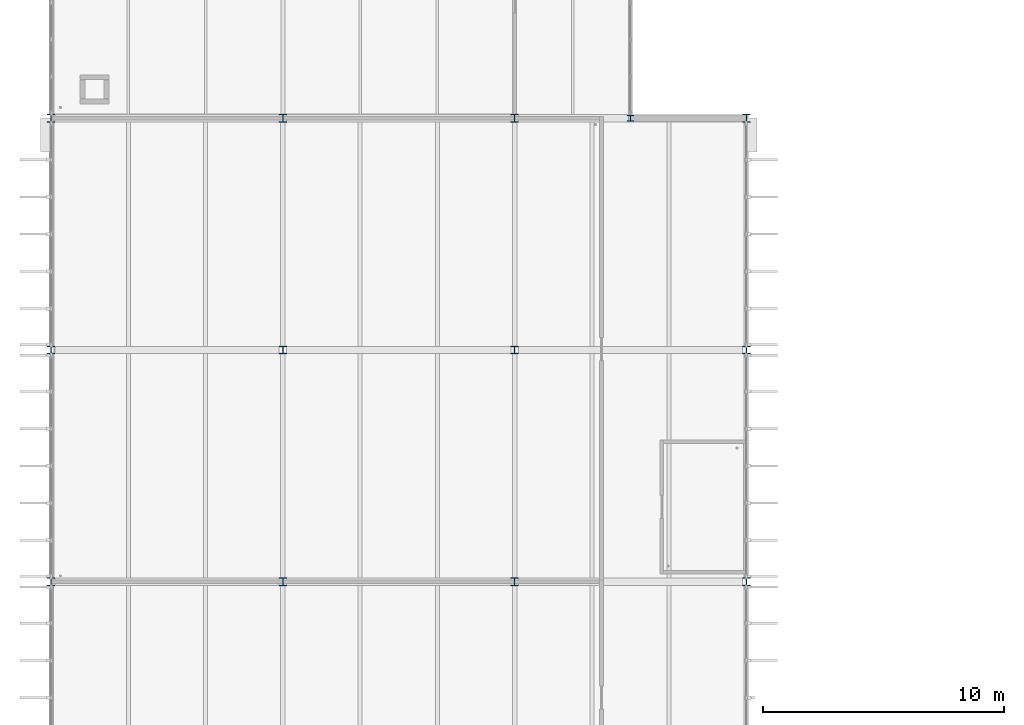
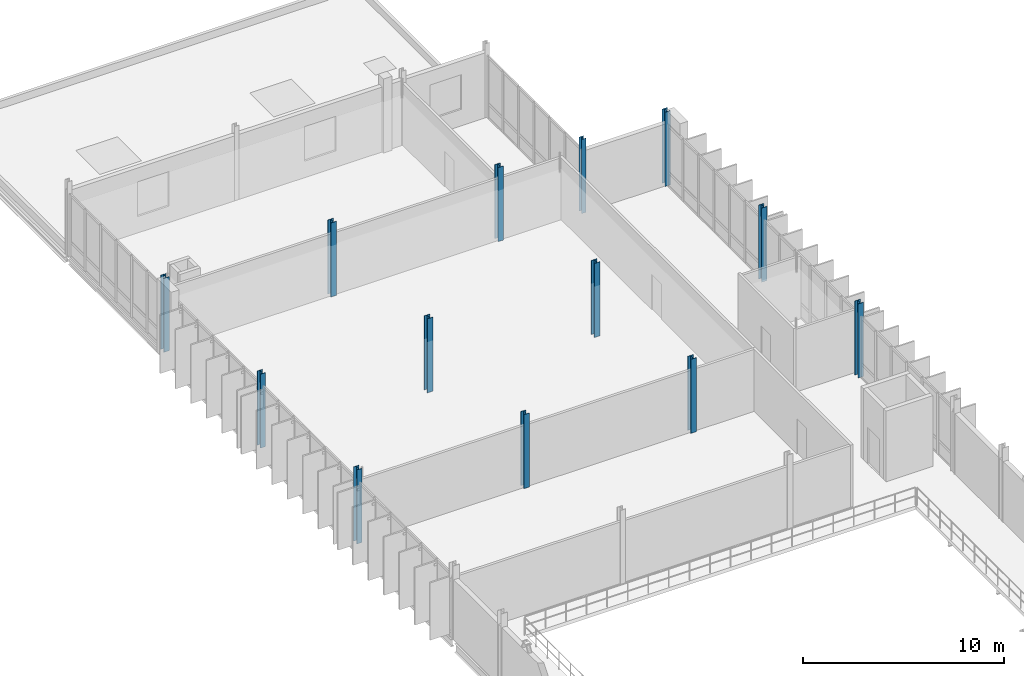
# One storey, part 10 of 107: 13 columns.
"""IFC4 building model written with IfcOpenShell, lengths in metres."""

from ifc_helpers import new_model, si_unit, direction, frame, origin, origin_2d, place, context, subcontext, project, spatial, i_section, extrude, material, material_profile, profile_set, type_object, element, save


model = new_model("IFC4")

# Units and contexts
model_context = context("Model", 3, precision=1e-05, world=origin(), true_north=direction((0.0, 1.0)))
body_context = subcontext(model_context, "Body", "Model", "MODEL_VIEW")
ifc_project = project(units=[si_unit("LENGTHUNIT", "METRE"), si_unit("AREAUNIT", "SQUARE_METRE"), si_unit("VOLUMEUNIT", "CUBIC_METRE"), si_unit("PLANEANGLEUNIT", "RADIAN"), si_unit("MASSUNIT", "GRAM", prefix="KILO")], contexts=[model_context])

# Site, building, storey
site_placement = place(None, origin())
site = spatial("IfcSite", under=ifc_project, at=site_placement, CompositionType="ELEMENT")
building_placement = place(site_placement, origin())
building = spatial("IfcBuilding", under=site, at=building_placement, Name="Dunescarp Central Library", CompositionType="ELEMENT")
storey_placement = place(building_placement, frame((0.0, 0.0, 5.10009765625)))
storey = spatial("IfcBuildingStorey", under=building, at=storey_placement, Name="L01", CompositionType="ELEMENT", Elevation=5.10009765625)

# Columns
ifc_material = material(Name="Steel S355JR", Category="steel")
ifc_material_profile_1 = material_profile(ifc_material, i_section(OverallWidth=0.25634765625, OverallDepth=0.26025390625, WebThickness=0.01025390625, FlangeThickness=0.017333984375, at=origin_2d()), Name="UC 254x254x89")
ifc_profile_set_1 = profile_set([ifc_material_profile_1], Name="Steel S355JR")
column_type_1 = type_object("IfcColumnType", Name="STR-COL-UC254X89", PredefinedType="COLUMN", material=ifc_profile_set_1)
column_placement = place(storey_placement, frame((24.0, 89.60009765625, 0.0), z_axis=(0.0, 0.0, 1.0), x_axis=(1.0, 0.0, 0.0)))
element("IfcColumn", 1, at=column_placement, inside=storey, type_object=column_type_1, Name="L01 column V4NE-240-896", PredefinedType="COLUMN", context=body_context, shape_type="SweptSolid", body=[
    extrude(i_section(OverallWidth=0.25634765625, OverallDepth=0.26025390625, WebThickness=0.01025390625, FlangeThickness=0.017333984375, at=origin_2d()), origin(), (0.0, 0.0, 1.0), 4.5),
])
ifc_material_profile_2 = material_profile(ifc_material, i_section(OverallWidth=0.311279296875, OverallDepth=0.3271484375, WebThickness=0.015869140625, FlangeThickness=0.02490234375, at=origin_2d()), Name="UC 305x305x158")
ifc_profile_set_2 = profile_set([ifc_material_profile_2], Name="Steel S355JR")
column_type_2 = type_object("IfcColumnType", Name="STR-COL-UC305X158", PredefinedType="COLUMN", material=ifc_profile_set_2)
for number, where, z_axis, x_axis, name in (
    (2, (0.0, 70.39990234375, 0.0), (0.0, 0.0, 1.0), (1.0, 0.0, 0.0), "L01 column V4M-0-704"),
    (3, (0.0, 80.0, 0.0), (0.0, 0.0, 1.0), (1.0, 0.0, 0.0), "L01 column V4M-0-800"),
    (4, (0.0, 89.60009765625, 0.0), (0.0, 0.0, 1.0), (1.0, 0.0, 0.0), "L01 column V4M-0-896"),
    (5, (9.60009765625, 70.39990234375, 0.0), (0.0, 0.0, 1.0), (1.0, 0.0, 0.0), "L01 column V4M-96-704"),
    (6, (9.60009765625, 80.0, 0.0), (0.0, 0.0, 1.0), (1.0, 0.0, 0.0), "L01 column V4M-96-800"),
    (7, (9.60009765625, 89.60009765625, 0.0), (0.0, 0.0, 1.0), (1.0, 0.0, 0.0), "L01 column V4M-96-896"),
    (8, (19.199951171875, 70.39990234375, 0.0), (0.0, 0.0, 1.0), (1.0, 0.0, 0.0), "L01 column V4M-192-704"),
    (9, (19.199951171875, 80.0, 0.0), (0.0, 0.0, 1.0), (1.0, 0.0, 0.0), "L01 column V4M-192-800"),
    (10, (19.199951171875, 89.60009765625, 0.0), (0.0, 0.0, 1.0), (1.0, 0.0, 0.0), "L01 column V4M-192-896"),
    (11, (28.800048828125, 70.39990234375, 0.0), (0.0, 0.0, 1.0), (1.0, 0.0, 0.0), "L01 column V4M-288-704"),
    (12, (28.800048828125, 80.0, 0.0), (0.0, 0.0, 1.0), (1.0, 0.0, 0.0), "L01 column V4M-288-800"),
    (13, (28.800048828125, 89.60009765625, 0.0), (0.0, 0.0, 1.0), (1.0, 0.0, 0.0), "L01 column V4M-288-896"),
):
    element("IfcColumn", number, at=place(storey_placement, frame(where, z_axis=z_axis, x_axis=x_axis)), inside=storey, type_object=column_type_2, Name=name, PredefinedType="COLUMN", context=body_context, shape_type="SweptSolid", body=[
        extrude(i_section(OverallWidth=0.311279296875, OverallDepth=0.3271484375, WebThickness=0.015869140625, FlangeThickness=0.02490234375, at=origin_2d()), origin(), (0.0, 0.0, 1.0), 4.5),
    ])

save(model, "model.ifc")
